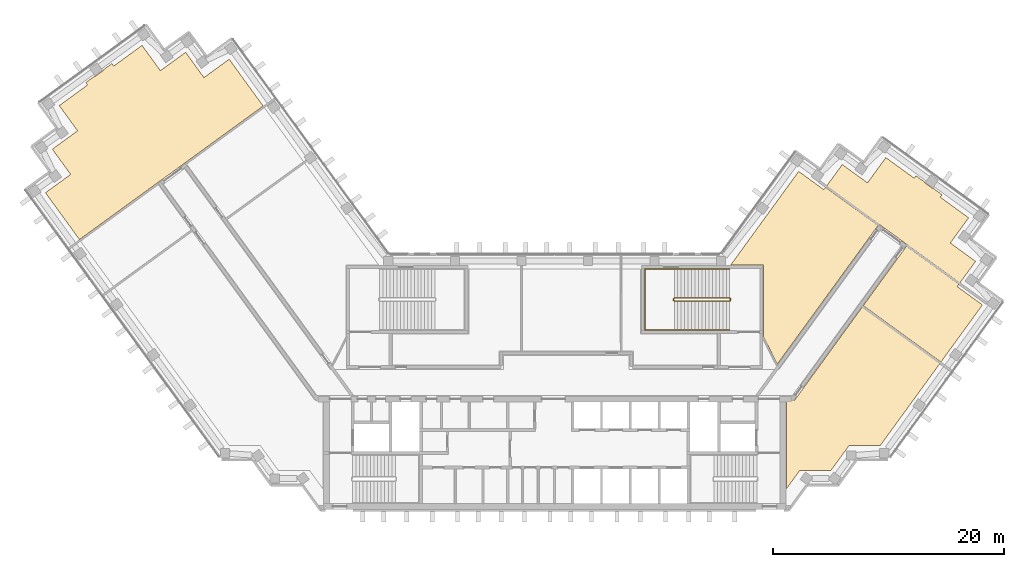
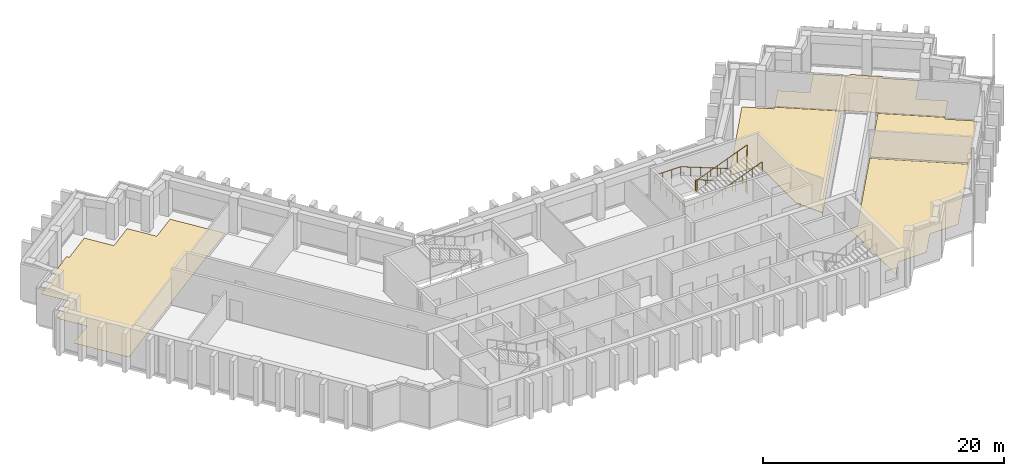
# One storey, part 9 of 9: 5 coverings, 2 railings.
"""IFC4 building model written with IfcOpenShell, lengths in metres."""

from ifc_helpers import new_model, si_unit, direction, frame, origin, origin_2d, place, context, subcontext, project, spatial, polyline, circle, outline, extrude, material, layer, layer_set, type_object, element, save


model = new_model("IFC4")

# Units and contexts
model_context = context("Model", 3, precision=1e-05, world=origin(), true_north=direction((0.0, 1.0)))
body_context = subcontext(model_context, "Body", "Model", "MODEL_VIEW")
ifc_project = project(units=[si_unit("LENGTHUNIT", "METRE"), si_unit("AREAUNIT", "SQUARE_METRE"), si_unit("VOLUMEUNIT", "CUBIC_METRE"), si_unit("PLANEANGLEUNIT", "RADIAN"), si_unit("MASSUNIT", "GRAM", prefix="KILO")], contexts=[model_context])

# Site, building, storey
site_placement = place(None, origin())
site = spatial("IfcSite", under=ifc_project, at=site_placement, CompositionType="ELEMENT")
building_placement = place(site_placement, origin())
building = spatial("IfcBuilding", under=site, at=building_placement, Name="Quipu Civic Tower", CompositionType="ELEMENT")
storey_placement = place(building_placement, frame((0.0, 0.0, 214.0)))
storey = spatial("IfcBuildingStorey", under=building, at=storey_placement, Name="L50", CompositionType="ELEMENT", Elevation=214.0)

# Coverings
ifc_material_1 = material(Name="Carpet tile on raised access floor")
ifc_layer_1 = layer(ifc_material_1, 0.02001953125)
ifc_layer_set_1 = layer_set([ifc_layer_1], Name="Carpet tile on raised access floor")
covering_type_1 = type_object("IfcCoveringType", Name="Carpet tile floor finish 20", PredefinedType="FLOORING", material=ifc_layer_set_1)
covering_1_placement = place(storey_placement, origin())
element("IfcCovering", 1, at=covering_1_placement, inside=storey, type_object=covering_type_1, Name="Carpet tile floor finish 20", PredefinedType="FLOORING", context=body_context, shape_type="SweptSolid", body=[
    extrude(outline(polyline([(20.070068359375, -9.195068359375), (20.070068359375, -1.52001953125), (20.77490234375, -1.51904296875), (26.6220703125, 6.529052734375), (33.344970703125, 1.64501953125), (28.181884765625, -5.4609375), (25.48193359375, -5.4619140625), (23.89501953125, -7.64599609375), (21.196044921875, -7.64599609375), (20.070068359375, -9.195068359375)])), origin(), (0.0, 0.0, 1.0), 0.02001953125),
])
covering_2_placement = place(storey_placement, origin())
element("IfcCovering", 2, at=covering_2_placement, inside=storey, type_object=covering_type_1, Name="Carpet tile floor finish 20", PredefinedType="FLOORING", context=body_context, shape_type="SweptSolid", body=[
    extrude(outline(polyline([(23.531005859375, 16.989013671875), (24.888916015625, 18.85791015625), (27.073974609375, 17.27197265625), (28.658935546875, 19.455078125), (31.116943359375, 17.6708984375), (31.27099609375, 17.8798828125), (32.032958984375, 17.325927734375), (32.032958984375, 17.324951171875), (32.031005859375, 17.321044921875), (32.030029296875, 17.31591796875), (32.029052734375, 17.31103515625), (32.028076171875, 17.305908203125), (32.028076171875, 17.302001953125), (32.029052734375, 17.297119140625), (32.030029296875, 17.2919921875), (32.031005859375, 17.287109375), (32.032958984375, 17.282958984375), (32.035888671875, 17.278076171875), (32.0380859375, 17.27392578125), (32.041015625, 17.27099609375), (32.044921875, 17.26708984375), (32.049072265625, 17.263916015625), (32.696044921875, 16.7939453125), (32.699951171875, 16.791015625), (32.7041015625, 16.7890625), (32.708984375, 16.787109375), (32.714111328125, 16.785888671875), (32.718994140625, 16.784912109375), (32.722900390625, 16.783935546875), (32.72802734375, 16.783935546875), (32.73291015625, 16.784912109375), (32.738037109375, 16.785888671875), (32.742919921875, 16.787109375), (32.7470703125, 16.7890625), (32.751953125, 16.7919921875), (32.756103515625, 16.7939453125), (32.759033203125, 16.798095703125), (32.760009765625, 16.798095703125), (33.52197265625, 16.2451171875), (33.3701171875, 16.032958984375), (35.826904296875, 14.248046875), (34.240966796875, 12.06396484375), (36.425048828125, 10.47705078125), (35.068115234375, 8.60791015625), (23.531005859375, 16.989013671875)])), origin(), (0.0, 0.0, 1.0), 0.02001953125),
])
covering_3_placement = place(storey_placement, origin())
element("IfcCovering", 3, at=covering_3_placement, inside=storey, type_object=covering_type_1, Name="Carpet tile floor finish 20", PredefinedType="FLOORING", context=body_context, shape_type="SweptSolid", body=[
    extrude(outline(polyline([(-44.074951171875, 16.4140625), (-41.89208984375, 17.9990234375), (-43.47802734375, 20.18505859375), (-41.2939453125, 21.77294921875), (-42.881103515625, 23.95703125), (-40.424072265625, 25.740966796875), (-40.574951171875, 25.952880859375), (-39.81298828125, 26.507080078125), (-39.80908203125, 26.5029296875), (-39.804931640625, 26.5009765625), (-39.801025390625, 26.498046875), (-39.7958984375, 26.49609375), (-39.7919921875, 26.4951171875), (-39.787109375, 26.493896484375), (-39.781982421875, 26.492919921875), (-39.777099609375, 26.492919921875), (-39.77197265625, 26.493896484375), (-39.76806640625, 26.4951171875), (-39.762939453125, 26.49609375), (-39.758056640625, 26.498046875), (-39.75390625, 26.5), (-39.75, 26.5029296875), (-39.10302734375, 26.972900390625), (-39.09912109375, 26.97607421875), (-39.094970703125, 26.97998046875), (-39.092041015625, 26.98291015625), (-39.089111328125, 26.987060546875), (-39.0869140625, 26.991943359375), (-39.0849609375, 26.99609375), (-39.083984375, 27.0009765625), (-39.0830078125, 27.006103515625), (-39.08203125, 27.010986328125), (-39.08203125, 27.014892578125), (-39.08203125, 27.02001953125), (-39.0830078125, 27.02490234375), (-39.0849609375, 27.030029296875), (-39.0869140625, 27.033935546875), (-38.324951171875, 27.587890625), (-38.169921875, 27.37890625), (-35.712890625, 29.1640625), (-34.126953125, 26.97998046875), (-31.94091796875, 28.56591796875), (-30.35400390625, 26.383056640625), (-28.169921875, 27.968994140625), (-25.22607421875, 23.916015625), (-41.131103515625, 12.360107421875), (-44.074951171875, 16.4140625)])), origin(), (0.0, 0.0, 1.0), 0.02001953125),
])
ifc_material_2 = material(Name="Sealed cement screed")
ifc_layer_2 = layer(ifc_material_2, 0.050048828125)
ifc_layer_set_2 = layer_set([ifc_layer_2], Name="Sealed cement screed")
covering_type_2 = type_object("IfcCoveringType", Name="Sealed screed floor finish 50", PredefinedType="FLOORING", material=ifc_layer_set_2)
covering_4_placement = place(storey_placement, origin())
element("IfcCovering", 4, at=covering_4_placement, inside=storey, type_object=covering_type_2, Name="Sealed screed floor finish 50", PredefinedType="FLOORING", context=body_context, shape_type="SweptSolid", body=[
    extrude(outline(polyline([(15.238037109375, 10.169921875), (21.115966796875, 18.260986328125), (23.299072265625, 16.676025390625), (23.447998046875, 16.876953125), (27.987060546875, 13.5791015625), (19.27197265625, 1.583984375), (18.070068359375, 3.94189453125), (18.070068359375, 10.1689453125), (15.238037109375, 10.169921875)])), origin(), (0.0, 0.0, 1.0), 0.050048828125),
])
covering_5_placement = place(storey_placement, origin())
element("IfcCovering", 5, at=covering_5_placement, inside=storey, type_object=covering_type_2, Name="Sealed screed floor finish 50", PredefinedType="FLOORING", context=body_context, shape_type="SweptSolid", body=[
    extrude(outline(polyline([(26.705078125, 6.64208984375), (30.446044921875, 11.7919921875), (34.985107421875, 8.493896484375), (34.839111328125, 8.291015625), (37.02197265625, 6.7060546875), (33.427978515625, 1.758056640625), (26.705078125, 6.64208984375)])), origin(), (0.0, 0.0, 1.0), 0.050048828125),
])

# Railings
ifc_material_3 = material(Name="Stainless steel", Category="steel")
railing_type_1 = type_object("IfcRailingType", Name="Stair guard 1100", PredefinedType="GUARDRAIL", material=ifc_material_3)
railing_1_placement = place(storey_placement, frame((15.14990234375, 7.300048828125, 0.11767578125)))
element("IfcRailing", 6, at=railing_1_placement, inside=storey, type_object=railing_type_1, Name="Stair 4 guard", PredefinedType="GUARDRAIL", context=body_context, shape_type="SweptSolid", body=[
    extrude(circle(Radius=0.02392578125, at=origin_2d()), frame((0.0, 0.0, 1.076171875), z_axis=(-0.930970042603, 0.0, 0.365095576219), x_axis=(0.0, -1.0, 0.0)), (0.0, 0.0, 1.0), 5.15576171875),
    extrude(circle(Radius=0.02392578125, at=origin_2d()), frame((-4.7998046875, 0.0, 2.95849609375), z_axis=(-0.707106781187, -0.707106781187, 0.0), x_axis=(0.707106781187, -0.707106781187, 0.0)), (0.0, 0.0, 1.0), 0.07080078125),
    extrude(circle(Radius=0.02392578125, at=origin_2d()), frame((-4.849853515625, -0.050048828125, 2.95849609375), z_axis=(0.0, -1.0, 0.0), x_axis=(1.0, 0.0, 0.0)), (0.0, 0.0, 1.0), 0.14990234375),
    extrude(circle(Radius=0.02392578125, at=origin_2d()), frame((-4.849853515625, -0.199951171875, 2.95849609375), z_axis=(0.364463019033, -0.364463019033, 0.856932561824), x_axis=(0.707106781187, 0.707106781187, 0.0)), (0.0, 0.0, 1.0), 0.13720703125),
    extrude(circle(Radius=0.02392578125, at=origin_2d()), frame((-4.7998046875, -0.25, 3.076171875), z_axis=(0.930970042603, 0.0, 0.365095576219), x_axis=(0.0, 1.0, 0.0)), (0.0, 0.0, 1.0), 5.15576171875),
    extrude(circle(Radius=0.02392578125, at=origin_2d()), frame((0.0, -0.25, 4.95849609375), z_axis=(0.012495627992, 0.049921557685, -0.998674970829), x_axis=(-0.970072785993, 0.242814311512, 0.0)), (0.0, 0.0, 1.0), 4.00537109375),
    extrude(circle(Radius=0.02392578125, at=origin_2d()), frame((0.050048828125, -0.050048828125, 0.95849609375), z_axis=(0.0, -1.0, 0.0), x_axis=(1.0, 0.0, 0.0)), (0.0, 0.0, 1.0), 0.14990234375),
    extrude(circle(Radius=0.02099609375, at=origin_2d()), origin(), (0.0, 0.0, 1.0), 1.052001953125),
    extrude(circle(Radius=0.02099609375, at=origin_2d()), frame((-0.9599609375, 0.0, 0.37646484375)), (0.0, 0.0, 1.0), 1.052001953125),
    extrude(circle(Radius=0.02099609375, at=origin_2d()), frame((-1.919921875, 0.0, 0.7529296875)), (0.0, 0.0, 1.0), 1.052001953125),
    extrude(circle(Radius=0.02099609375, at=origin_2d()), frame((-2.8798828125, 0.0, 1.12939453125)), (0.0, 0.0, 1.0), 1.052001953125),
    extrude(circle(Radius=0.02099609375, at=origin_2d()), frame((-3.83984375, 0.0, 1.505859375)), (0.0, 0.0, 1.0), 1.052001953125),
    extrude(circle(Radius=0.02099609375, at=origin_2d()), frame((-4.7998046875, 0.0, 1.88232421875)), (0.0, 0.0, 1.0), 1.052001953125),
    extrude(circle(Radius=0.02099609375, at=origin_2d()), frame((-4.849853515625, -0.050048828125, 1.88232421875)), (0.0, 0.0, 1.0), 1.052001953125),
    extrude(circle(Radius=0.02099609375, at=origin_2d()), frame((-4.849853515625, -0.199951171875, 1.88232421875)), (0.0, 0.0, 1.0), 1.052001953125),
    extrude(circle(Radius=0.02099609375, at=origin_2d()), frame((-4.7998046875, -0.25, 2.0)), (0.0, 0.0, 1.0), 1.052001953125),
    extrude(circle(Radius=0.02099609375, at=origin_2d()), frame((-3.83984375, -0.25, 2.37646484375)), (0.0, 0.0, 1.0), 1.052001953125),
    extrude(circle(Radius=0.02099609375, at=origin_2d()), frame((-2.8798828125, -0.25, 2.7529296875)), (0.0, 0.0, 1.0), 1.052001953125),
    extrude(circle(Radius=0.02099609375, at=origin_2d()), frame((-1.919921875, -0.25, 3.12939453125)), (0.0, 0.0, 1.0), 1.052001953125),
    extrude(circle(Radius=0.02099609375, at=origin_2d()), frame((-0.9599609375, -0.25, 3.505859375)), (0.0, 0.0, 1.0), 1.052001953125),
    extrude(circle(Radius=0.02099609375, at=origin_2d()), frame((0.0, -0.25, 3.88232421875)), (0.0, 0.0, 1.0), 1.052001953125),
    extrude(circle(Radius=0.02099609375, at=origin_2d()), frame((0.012451171875, -0.199951171875, 2.88232421875)), (0.0, 0.0, 1.0), 1.052001953125),
    extrude(circle(Radius=0.02099609375, at=origin_2d()), frame((0.02490234375, -0.14990234375, 1.88232421875)), (0.0, 0.0, 1.0), 1.052001953125),
    extrude(circle(Radius=0.02099609375, at=origin_2d()), frame((0.03759765625, -0.10009765625, 0.88232421875)), (0.0, 0.0, 1.0), 1.052001953125),
    extrude(circle(Radius=0.02099609375, at=origin_2d()), frame((0.050048828125, -0.050048828125, -0.11767578125)), (0.0, 0.0, 1.0), 1.052001953125),
    extrude(circle(Radius=0.02099609375, at=origin_2d()), frame((0.050048828125, -0.199951171875, -0.11767578125)), (0.0, 0.0, 1.0), 1.052001953125),
])
ifc_material_4 = material(Name="Stainless steel", Category="steel")
railing_type_2 = type_object("IfcRailingType", Name="Stair handrail", PredefinedType="HANDRAIL", material=ifc_material_4)
railing_2_placement = place(storey_placement, frame((15.14990234375, 9.800048828125, 0.11767578125)))
element("IfcRailing", 7, at=railing_2_placement, inside=storey, type_object=railing_type_2, Name="Stair 4 handrail", PredefinedType="HANDRAIL", context=body_context, shape_type="SweptSolid", body=[
    extrude(circle(Radius=0.02392578125, at=origin_2d()), frame((0.0, 0.0, 0.8759765625), z_axis=(-0.930970042603, 0.0, 0.365095576219), x_axis=(0.0, -1.0, 0.0)), (0.0, 0.0, 1.0), 5.15576171875),
    extrude(circle(Radius=0.02392578125, at=origin_2d()), frame((-4.7998046875, 0.0, 2.75830078125), z_axis=(-1.0, 0.0, 0.0), x_axis=(0.0, -1.0, 0.0)), (0.0, 0.0, 1.0), 2.550048828125),
    extrude(circle(Radius=0.02392578125, at=origin_2d()), frame((-7.349853515625, 0.0, 2.75830078125), z_axis=(0.0, -1.0, 0.0), x_axis=(1.0, 0.0, 0.0)), (0.0, 0.0, 1.0), 5.25),
    extrude(circle(Radius=0.02392578125, at=origin_2d()), frame((-7.349853515625, -5.25, 2.75830078125), z_axis=(0.998936948642, 0.0, 0.04609742549), x_axis=(0.0, 1.0, 0.0)), (0.0, 0.0, 1.0), 2.552734375),
    extrude(circle(Radius=0.02392578125, at=origin_2d()), frame((-4.7998046875, -5.25, 2.8759765625), z_axis=(0.930970042603, 0.0, 0.365095576219), x_axis=(0.0, 1.0, 0.0)), (0.0, 0.0, 1.0), 5.15576171875),
    extrude(circle(Radius=0.02099609375, at=origin_2d()), origin(), (0.0, 0.0, 1.0), 0.851806640625),
    extrude(circle(Radius=0.02099609375, at=origin_2d()), frame((-0.9599609375, 0.0, 0.37646484375)), (0.0, 0.0, 1.0), 0.851806640625),
    extrude(circle(Radius=0.02099609375, at=origin_2d()), frame((-1.919921875, 0.0, 0.7529296875)), (0.0, 0.0, 1.0), 0.851806640625),
    extrude(circle(Radius=0.02099609375, at=origin_2d()), frame((-2.8798828125, 0.0, 1.12939453125)), (0.0, 0.0, 1.0), 0.851806640625),
    extrude(circle(Radius=0.02099609375, at=origin_2d()), frame((-3.83984375, 0.0, 1.505859375)), (0.0, 0.0, 1.0), 0.851806640625),
    extrude(circle(Radius=0.02099609375, at=origin_2d()), frame((-4.7998046875, 0.0, 1.88232421875)), (0.0, 0.0, 1.0), 0.851806640625),
    extrude(circle(Radius=0.02099609375, at=origin_2d()), frame((-5.64990234375, 0.0, 1.88232421875)), (0.0, 0.0, 1.0), 0.851806640625),
    extrude(circle(Radius=0.02099609375, at=origin_2d()), frame((-6.499755859375, 0.0, 1.88232421875)), (0.0, 0.0, 1.0), 0.851806640625),
    extrude(circle(Radius=0.02099609375, at=origin_2d()), frame((-7.349853515625, 0.0, 1.88232421875)), (0.0, 0.0, 1.0), 0.851806640625),
    extrude(circle(Radius=0.02099609375, at=origin_2d()), frame((-7.349853515625, -1.050048828125, 1.88232421875)), (0.0, 0.0, 1.0), 0.851806640625),
    extrude(circle(Radius=0.02099609375, at=origin_2d()), frame((-7.349853515625, -2.10009765625, 1.88232421875)), (0.0, 0.0, 1.0), 0.851806640625),
    extrude(circle(Radius=0.02099609375, at=origin_2d()), frame((-7.349853515625, -3.14990234375, 1.88232421875)), (0.0, 0.0, 1.0), 0.851806640625),
    extrude(circle(Radius=0.02099609375, at=origin_2d()), frame((-7.349853515625, -4.199951171875, 1.88232421875)), (0.0, 0.0, 1.0), 0.851806640625),
    extrude(circle(Radius=0.02099609375, at=origin_2d()), frame((-7.349853515625, -5.25, 1.88232421875)), (0.0, 0.0, 1.0), 0.851806640625),
    extrude(circle(Radius=0.02099609375, at=origin_2d()), frame((-6.499755859375, -5.25, 1.921630859375)), (0.0, 0.0, 1.0), 0.851806640625),
    extrude(circle(Radius=0.02099609375, at=origin_2d()), frame((-5.64990234375, -5.25, 1.960693359375)), (0.0, 0.0, 1.0), 0.851806640625),
    extrude(circle(Radius=0.02099609375, at=origin_2d()), frame((-4.7998046875, -5.25, 2.0)), (0.0, 0.0, 1.0), 0.851806640625),
    extrude(circle(Radius=0.02099609375, at=origin_2d()), frame((-3.83984375, -5.25, 2.37646484375)), (0.0, 0.0, 1.0), 0.851806640625),
    extrude(circle(Radius=0.02099609375, at=origin_2d()), frame((-2.8798828125, -5.25, 2.7529296875)), (0.0, 0.0, 1.0), 0.851806640625),
    extrude(circle(Radius=0.02099609375, at=origin_2d()), frame((-1.919921875, -5.25, 3.12939453125)), (0.0, 0.0, 1.0), 0.851806640625),
    extrude(circle(Radius=0.02099609375, at=origin_2d()), frame((-0.9599609375, -5.25, 3.505859375)), (0.0, 0.0, 1.0), 0.851806640625),
    extrude(circle(Radius=0.02099609375, at=origin_2d()), frame((0.0, -5.25, 3.88232421875)), (0.0, 0.0, 1.0), 0.851806640625),
])

save(model, "model.ifc")
